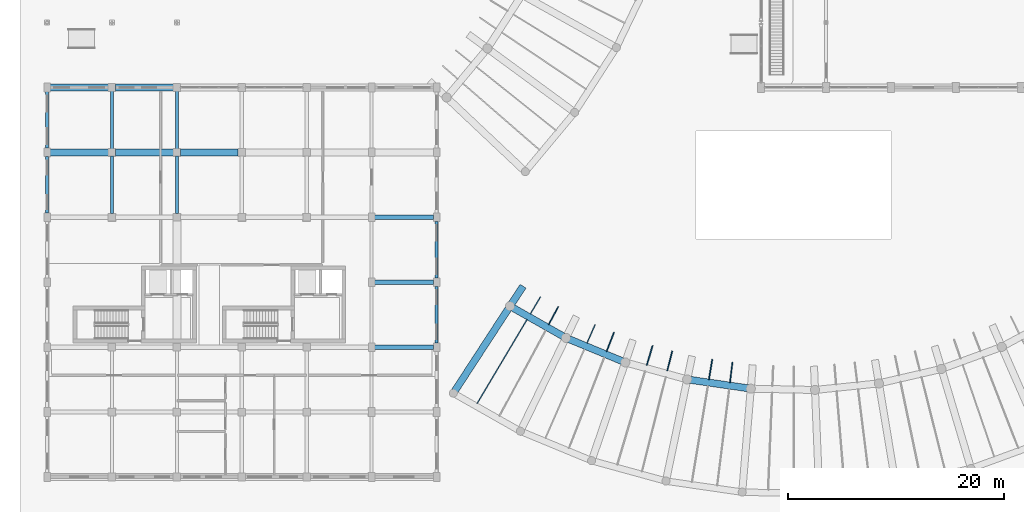
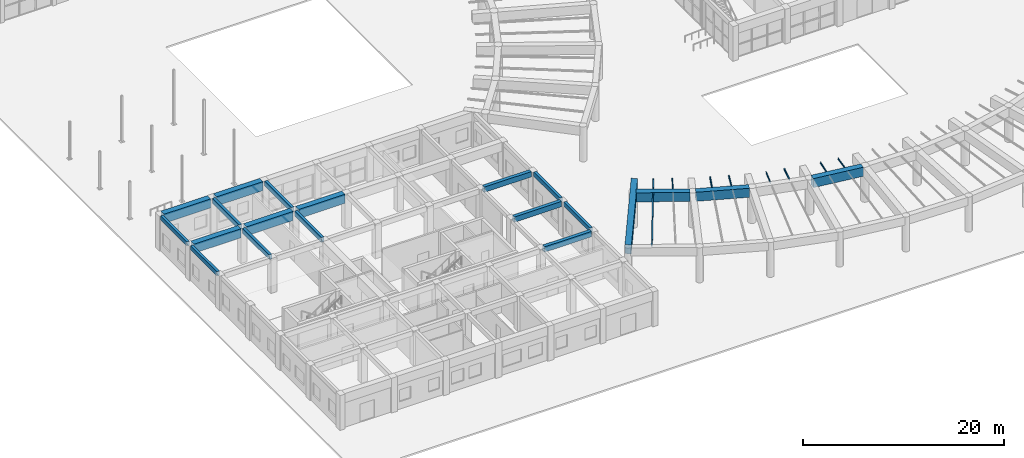
# One storey, part 11 of 76: 29 beams.
"""IFC4 building model written with IfcOpenShell, lengths in metres."""

from ifc_helpers import new_model, si_unit, direction, frame, origin, origin_2d, place, context, subcontext, project, spatial, rectangle, i_section, extrude, material, material_profile, profile_set, type_object, element, save


model = new_model("IFC4")

# Units and contexts
model_context = context("Model", 3, precision=1e-05, world=origin(), true_north=direction((0.0, 1.0)))
body_context = subcontext(model_context, "Body", "Model", "MODEL_VIEW")
ifc_project = project(units=[si_unit("LENGTHUNIT", "METRE"), si_unit("AREAUNIT", "SQUARE_METRE"), si_unit("VOLUMEUNIT", "CUBIC_METRE"), si_unit("PLANEANGLEUNIT", "RADIAN"), si_unit("MASSUNIT", "GRAM", prefix="KILO"), si_unit("POWERUNIT", "WATT"), si_unit("THERMODYNAMICTEMPERATUREUNIT", "KELVIN")], contexts=[model_context])

# Site, building, storey
site_placement = place(None, origin())
site = spatial("IfcSite", under=ifc_project, at=site_placement, CompositionType="ELEMENT")
building_placement = place(site_placement, origin())
building = spatial("IfcBuilding", under=site, at=building_placement, Name="Ruvembo Vaulted Housing Court", CompositionType="ELEMENT")
storey_placement = place(building_placement, origin())
storey = spatial("IfcBuildingStorey", under=building, at=storey_placement, Name="L00", CompositionType="ELEMENT", Elevation=0.0)

# Beams
ifc_material_1 = material(Name="Concrete C35/45", Category="concrete")
ifc_material_profile_1 = material_profile(ifc_material_1, rectangle(XDim=0.300048828125, YDim=0.60009765625, at=origin_2d()), Name="RC 300x600")
ifc_profile_set_1 = profile_set([ifc_material_profile_1], Name="Concrete C35/45")
beam_type_1 = type_object("IfcBeamType", Name="BM-RC-300x600", PredefinedType="BEAM", material=ifc_profile_set_1)
for number, where, z_axis, x_axis, name in (
    (1, (6.0, 30.3349609375, 3.929931640625), (0.0, 1.0, 0.0), (-1.0, 0.0, 0.0), "L00 Grid Beam Y #952"),
    (2, (6.0, 36.3349609375, 3.929931640625), (0.0, 1.0, 0.0), (-1.0, 0.0, 0.0), "L00 Grid Beam Y #953"),
    (3, (12.0, 30.3349609375, 3.929931640625), (0.0, 1.0, 0.0), (-1.0, 0.0, 0.0), "L00 Grid Beam Y #959"),
    (4, (12.0, 36.3349609375, 3.929931640625), (0.0, 1.0, 0.0), (-1.0, 0.0, 0.0), "L00 Grid Beam Y #960"),
):
    element("IfcBeam", number, at=place(storey_placement, frame(where, z_axis=z_axis, x_axis=x_axis)), inside=storey, type_object=beam_type_1, Name=name, PredefinedType="BEAM", context=body_context, shape_type="SweptSolid", body=[
        extrude(rectangle(XDim=0.300048828125, YDim=0.60009765625, at=origin_2d()), origin(), (0.0, 0.0, 1.0), 5.330078125),
    ])
ifc_material_profile_2 = material_profile(ifc_material_1, rectangle(XDim=0.39990234375, YDim=0.64990234375, at=origin_2d()), Name="RC 400x650")
ifc_profile_set_2 = profile_set([ifc_material_profile_2], Name="Concrete C35/45")
beam_type_2 = type_object("IfcBeamType", Name="BM-RC-400x650", PredefinedType="BEAM", material=ifc_profile_set_2)
for number, where, z_axis, x_axis, name in (
    (5, (30.284912109375, 18.0, 3.905029296875), (1.0, 0.0, 0.0), (0.0, 1.0, 0.0), "L00 Grid Beam X #776"),
    (6, (30.284912109375, 24.0, 3.905029296875), (1.0, 0.0, 0.0), (0.0, 1.0, 0.0), "L00 Grid Beam X #785"),
    (7, (30.284912109375, 30.0, 3.905029296875), (1.0, 0.0, 0.0), (0.0, 1.0, 0.0), "L00 Grid Beam X #797"),
):
    element("IfcBeam", number, at=place(storey_placement, frame(where, z_axis=z_axis, x_axis=x_axis)), inside=storey, type_object=beam_type_2, Name=name, PredefinedType="BEAM", context=body_context, shape_type="SweptSolid", body=[
        extrude(rectangle(XDim=0.39990234375, YDim=0.64990234375, at=origin_2d()), origin(), (0.0, 0.0, 1.0), 5.43017578125),
    ])
ifc_material_2 = material(Name="Steel S355J2", Category="steel")
ifc_material_profile_3 = material_profile(ifc_material_2, i_section(OverallWidth=0.08203125, OverallDepth=0.159912109375, WebThickness=0.0048828125, FlangeThickness=0.00732421875, FilletRadius=0.009033203125, at=origin_2d()), Name="IPE 160")
ifc_profile_set_3 = profile_set([ifc_material_profile_3], Name="Steel S355J2")
beam_type_3 = type_object("IfcBeamType", Name="BM-ST-IPE160", PredefinedType="JOIST", material=ifc_profile_set_3)
beam_1_placement = place(storey_placement, frame((46.36865234375, 20.08056640625, 4.159912109375), z_axis=(0.475068406288, 0.879948867461, 0.0), x_axis=(-0.879948867461, 0.475068406288, 0.0)))
element("IfcBeam", 8, at=beam_1_placement, inside=storey, type_object=beam_type_3, Name="Scoop SC2 L00 Radial Balcony Outrigger Joist 2", PredefinedType="JOIST", context=body_context, shape_type="SweptSolid", body=[
    extrude(i_section(OverallWidth=0.08203125, OverallDepth=0.159912109375, WebThickness=0.0048828125, FlangeThickness=0.00732421875, FilletRadius=0.009033203125, at=origin_2d()), origin(), (0.0, 0.0, 1.0), 1.87841796875),
])
for number, where, z_axis, x_axis, name in (
    (9, (51.716552734375, 17.607666015625, 4.159912109375), (0.362791239677, 0.931870439715, 0.0), (-0.931870439715, 0.362791239677, 0.0), "Scoop SC2 L00 Radial Balcony Outrigger Joist 5"),
    (10, (57.32861328125, 15.813720703125, 4.159912109375), (0.245042977892, 0.969512217038, 0.0), (-0.969512217038, 0.245042977892, 0.0), "Scoop SC2 L00 Radial Balcony Outrigger Joist 8"),
):
    element("IfcBeam", number, at=place(storey_placement, frame(where, z_axis=z_axis, x_axis=x_axis)), inside=storey, type_object=beam_type_3, Name=name, PredefinedType="JOIST", context=body_context, shape_type="SweptSolid", body=[
        extrude(i_section(OverallWidth=0.08203125, OverallDepth=0.159912109375, WebThickness=0.0048828125, FlangeThickness=0.00732421875, FilletRadius=0.009033203125, at=origin_2d()), origin(), (0.0, 0.0, 1.0), 1.878173828125),
    ])
beam_2_placement = place(storey_placement, frame((63.119384765625, 14.72607421875, 4.159912109375), z_axis=(0.123474828981, 0.992347704491, 0.0), x_axis=(-0.992347704491, 0.123474828981, 0.0)))
element("IfcBeam", 11, at=beam_2_placement, inside=storey, type_object=beam_type_3, Name="Scoop SC2 L00 Radial Balcony Outrigger Joist 11", PredefinedType="JOIST", context=body_context, shape_type="SweptSolid", body=[
    extrude(i_section(OverallWidth=0.08203125, OverallDepth=0.159912109375, WebThickness=0.0048828125, FlangeThickness=0.00732421875, FilletRadius=0.009033203125, at=origin_2d()), origin(), (0.0, 0.0, 1.0), 1.87841796875),
])
ifc_material_profile_4 = material_profile(ifc_material_2, i_section(OverallWidth=0.091064453125, OverallDepth=0.179931640625, WebThickness=0.00537109375, FlangeThickness=0.008056640625, FilletRadius=0.009033203125, at=origin_2d()), Name="IPE 180")
ifc_profile_set_4 = profile_set([ifc_material_profile_4], Name="Steel S355J2")
beam_type_4 = type_object("IfcBeamType", Name="BM-ST-IPE180", PredefinedType="JOIST", material=ifc_profile_set_4)
beam_3_placement = place(storey_placement, frame((39.7470703125, 12.78564453125, 4.14990234375), z_axis=(0.510946161277, 0.859612715283, 0.0), x_axis=(-0.859612715283, 0.510946161277, 0.0)))
element("IfcBeam", 12, at=beam_3_placement, inside=storey, type_object=beam_type_4, Name="Scoop SC2 L00 Interior Radial Joist 1", PredefinedType="JOIST", context=body_context, shape_type="SweptSolid", body=[
    extrude(i_section(OverallWidth=0.091064453125, OverallDepth=0.179931640625, WebThickness=0.00537109375, FlangeThickness=0.008056640625, FilletRadius=0.009033203125, at=origin_2d()), origin(), (0.0, 0.0, 1.0), 9.0537109375),
])
beam_4_placement = place(storey_placement, frame((44.6591796875, 21.049560546875, 4.14990234375), z_axis=(0.510917075971, 0.859630002664, 0.0), x_axis=(-0.859630002664, 0.510917075971, 0.0)))
element("IfcBeam", 13, at=beam_4_placement, inside=storey, type_object=beam_type_4, Name="Scoop SC2 L00 Radial Balcony Outrigger Joist 1", PredefinedType="JOIST", context=body_context, shape_type="SweptSolid", body=[
    extrude(i_section(OverallWidth=0.091064453125, OverallDepth=0.179931640625, WebThickness=0.00537109375, FlangeThickness=0.008056640625, FilletRadius=0.009033203125, at=origin_2d()), origin(), (0.0, 0.0, 1.0), 1.87841796875),
])
beam_5_placement = place(storey_placement, frame((49.900390625, 18.358154296875, 4.14990234375), z_axis=(0.400873384343, 0.916133467201, 0.0), x_axis=(-0.916133467201, 0.400873384343, 0.0)))
element("IfcBeam", 14, at=beam_5_placement, inside=storey, type_object=beam_type_4, Name="Scoop SC2 L00 Radial Balcony Outrigger Joist 4", PredefinedType="JOIST", context=body_context, shape_type="SweptSolid", body=[
    extrude(i_section(OverallWidth=0.091064453125, OverallDepth=0.179931640625, WebThickness=0.00537109375, FlangeThickness=0.008056640625, FilletRadius=0.009033203125, at=origin_2d()), origin(), (0.0, 0.0, 1.0), 1.878173828125),
])
for number, where, z_axis, x_axis, name in (
    (15, (55.433837890625, 16.334228515625, 4.14990234375), (0.284783058606, 0.958591993254, 0.0), (-0.958591993254, 0.284783058606, 0.0), "Scoop SC2 L00 Radial Balcony Outrigger Joist 7"),
    (16, (61.1748046875, 15.0087890625, 4.14990234375), (0.164293597898, 0.986411482947, 0.0), (-0.986411482947, 0.164293597898, 0.0), "Scoop SC2 L00 Radial Balcony Outrigger Joist 10"),
):
    element("IfcBeam", number, at=place(storey_placement, frame(where, z_axis=z_axis, x_axis=x_axis)), inside=storey, type_object=beam_type_4, Name=name, PredefinedType="JOIST", context=body_context, shape_type="SweptSolid", body=[
        extrude(i_section(OverallWidth=0.091064453125, OverallDepth=0.179931640625, WebThickness=0.00537109375, FlangeThickness=0.008056640625, FilletRadius=0.009033203125, at=origin_2d()), origin(), (0.0, 0.0, 1.0), 1.87841796875),
    ])
ifc_material_profile_5 = material_profile(ifc_material_1, rectangle(XDim=0.300048828125, YDim=0.5, at=origin_2d()), Name="RC 300x500")
ifc_profile_set_5 = profile_set([ifc_material_profile_5], Name="Concrete C35/45")
beam_type_5 = type_object("IfcBeamType", Name="SP-RC-300x500", PredefinedType="SPANDREL", material=ifc_profile_set_5)
for number, where, z_axis, x_axis, name in (
    (17, (0.0, 30.385009765625, 3.97998046875), (0.0, 1.0, 0.0), (-1.0, 0.0, 0.0), "L00 Grid Beam Y #948"),
    (18, (0.0, 36.385009765625, 3.97998046875), (0.0, 1.0, 0.0), (-1.0, 0.0, 0.0), "L00 Grid Beam Y #949"),
    (19, (36.0, 18.385009765625, 3.97998046875), (0.0, 1.0, 0.0), (-1.0, 0.0, 0.0), "L00 Grid Beam Y #984"),
    (20, (36.0, 24.385009765625, 3.97998046875), (0.0, 1.0, 0.0), (-1.0, 0.0, 0.0), "L00 Grid Beam Y #985"),
):
    element("IfcBeam", number, at=place(storey_placement, frame(where, z_axis=z_axis, x_axis=x_axis)), inside=storey, type_object=beam_type_5, Name=name, PredefinedType="SPANDREL", context=body_context, shape_type="SweptSolid", body=[
        extrude(rectangle(XDim=0.300048828125, YDim=0.5, at=origin_2d()), origin(), (0.0, 0.0, 1.0), 5.22998046875),
    ])
ifc_material_3 = material(Name="Concrete C40/50", Category="concrete")
ifc_material_profile_6 = material_profile(ifc_material_3, rectangle(XDim=0.64990234375, YDim=1.10009765625, at=origin_2d()), Name="RC 650x1100")
ifc_profile_set_6 = profile_set([ifc_material_profile_6], Name="Concrete C40/50")
beam_type_6 = type_object("IfcBeamType", Name="TB-RC-650x1100", PredefinedType="BEAM", material=ifc_profile_set_6)
beam_6_placement = place(storey_placement, frame((0.284912109375, 36.0, 3.679931640625), z_axis=(1.0, 0.0, 0.0), x_axis=(0.0, 1.0, 0.0)))
element("IfcBeam", 21, at=beam_6_placement, inside=storey, type_object=beam_type_6, Name="L00 Grid Beam X #811", PredefinedType="BEAM", context=body_context, shape_type="SweptSolid", body=[
    extrude(rectangle(XDim=0.64990234375, YDim=1.10009765625, at=origin_2d()), origin(), (0.0, 0.0, 1.0), 5.380126953125),
])
for number, where, z_axis, x_axis, name in (
    (22, (6.3349609375, 36.0, 3.679931640625), (1.0, 0.0, 0.0), (0.0, 1.0, 0.0), "L00 Grid Beam X #812"),
    (23, (12.3349609375, 36.0, 3.679931640625), (1.0, 0.0, 0.0), (0.0, 1.0, 0.0), "L00 Grid Beam X #813"),
):
    element("IfcBeam", number, at=place(storey_placement, frame(where, z_axis=z_axis, x_axis=x_axis)), inside=storey, type_object=beam_type_6, Name=name, PredefinedType="BEAM", context=body_context, shape_type="SweptSolid", body=[
        extrude(rectangle(XDim=0.64990234375, YDim=1.10009765625, at=origin_2d()), origin(), (0.0, 0.0, 1.0), 5.330078125),
    ])
beam_7_placement = place(storey_placement, frame((0.284912109375, 42.0, 3.679931640625), z_axis=(1.0, 0.0, 0.0), x_axis=(0.0, 1.0, 0.0)))
element("IfcBeam", 24, at=beam_7_placement, inside=storey, type_object=beam_type_6, Name="L00 Grid Beam X #830", PredefinedType="BEAM", context=body_context, shape_type="SweptSolid", body=[
    extrude(rectangle(XDim=0.64990234375, YDim=1.10009765625, at=origin_2d()), origin(), (0.0, 0.0, 1.0), 5.380126953125),
])
beam_8_placement = place(storey_placement, frame((6.3349609375, 42.0, 3.679931640625), z_axis=(1.0, 0.0, 0.0), x_axis=(0.0, 1.0, 0.0)))
element("IfcBeam", 25, at=beam_8_placement, inside=storey, type_object=beam_type_6, Name="L00 Grid Beam X #831", PredefinedType="BEAM", context=body_context, shape_type="SweptSolid", body=[
    extrude(rectangle(XDim=0.64990234375, YDim=1.10009765625, at=origin_2d()), origin(), (0.0, 0.0, 1.0), 5.330078125),
])
beam_9_placement = place(storey_placement, frame((43.037109375, 21.647216796875, 3.697998046875), z_axis=(0.869978683625, -0.493089332715, 0.0), x_axis=(0.493089332715, 0.869978683625, 0.0)))
element("IfcBeam", 26, at=beam_9_placement, inside=storey, type_object=beam_type_6, Name="Scoop SC2 Pilotis Transfer Girder F0", PredefinedType="BEAM", context=body_context, shape_type="SweptSolid", body=[
    extrude(rectangle(XDim=0.64990234375, YDim=1.10009765625, at=origin_2d()), origin(), (0.0, 0.0, 1.0), 5.37646484375),
])
for number, where, z_axis, x_axis, name in (
    (27, (48.217041015625, 18.7509765625, 3.697998046875), (0.92417606982, -0.381966741971, 0.0), (0.381966741971, 0.92417606982, 0.0), "Scoop SC2 Pilotis Transfer Girder F3"),
    (28, (59.4462890625, 14.977294921875, 3.697998046875), (0.989593141172, -0.143893762704, 0.0), (0.143893762704, 0.989593141172, 0.0), "Scoop SC2 Pilotis Transfer Girder F9"),
):
    element("IfcBeam", number, at=place(storey_placement, frame(where, z_axis=z_axis, x_axis=x_axis)), inside=storey, type_object=beam_type_6, Name=name, PredefinedType="BEAM", context=body_context, shape_type="SweptSolid", body=[
        extrude(rectangle(XDim=0.64990234375, YDim=1.10009765625, at=origin_2d()), origin(), (0.0, 0.0, 1.0), 5.376708984375),
    ])
beam_10_placement = place(storey_placement, frame((37.68310546875, 13.943603515625, 3.697998046875), z_axis=(0.5459849311, 0.837794995815, 0.0), x_axis=(-0.837794995815, 0.5459849311, 0.0)))
element("IfcBeam", 29, at=beam_10_placement, inside=storey, type_object=beam_type_6, Name="Scoop SC2 Radial Pilotis Transfer Girder 0", PredefinedType="BEAM", context=body_context, shape_type="SweptSolid", body=[
    extrude(rectangle(XDim=0.64990234375, YDim=1.10009765625, at=origin_2d()), origin(), (0.0, 0.0, 1.0), 11.559814453125),
])

save(model, "model.ifc")
